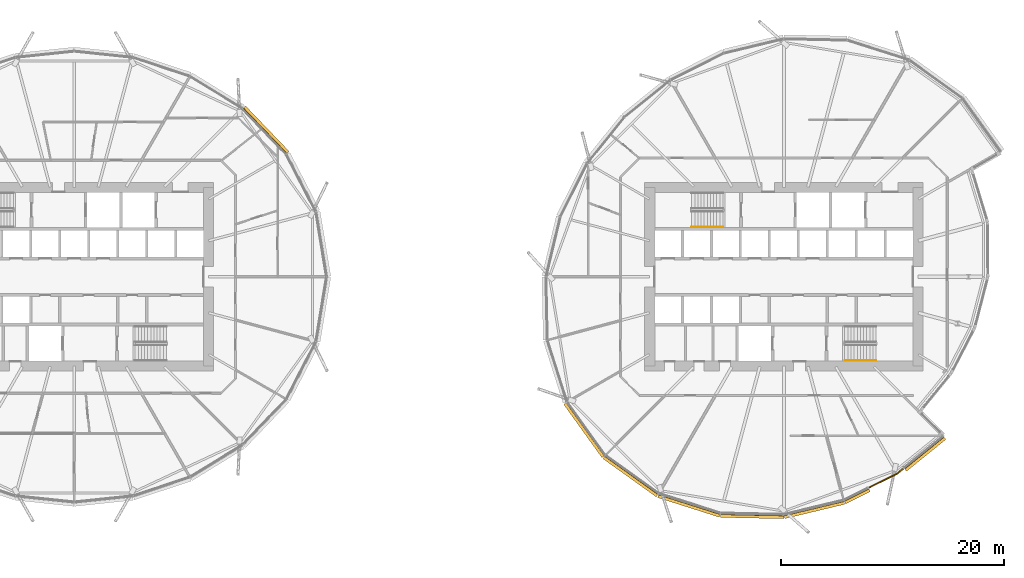
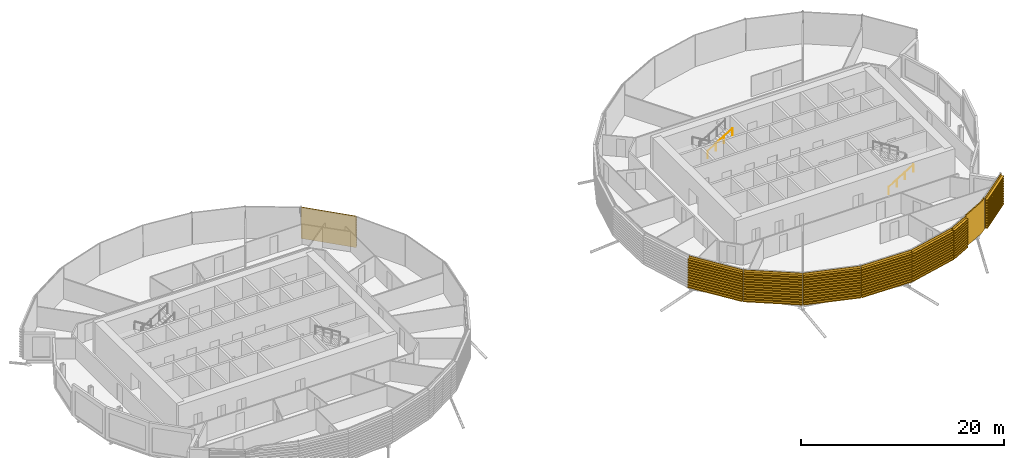
# One storey, part 36 of 38: 9 coverings, 2 railings.
"""IFC4 building model written with IfcOpenShell, lengths in metres."""

import ifcopenshell
import ifcopenshell.guid

model = None  # the IFC model being written
_history = None  # IfcOwnerHistory: only IFC2X3 demands one
_inside = {}  # id of a spatial element -> (the spatial element, [elements in it])
_under = {}  # id of a project, library or spatial element -> (it, [spatial elements below it])
_declared = {}  # id of a project -> (the project, [libraries it declares])
_typed = {}  # id of a type object -> (the type object, [elements of that type])
_made_of = {}  # id of a material, layer set ... -> (it, [elements and type objects made of it])


def new_model(schema):
    """Start an empty IFC model of exactly this schema.

    Asked for "IFC4X3", IfcOpenShell would pick the latest addendum, in which some entities
    have other attributes; the version numbers below select the first issue.
    IFC2X3 requires an IfcOwnerHistory on every rooted entity: one is made here for all.
    """
    global model, _history
    if schema == "IFC4X3":
        model = ifcopenshell.file(schema_version=(4, 3, 0, 0))
    else:
        model = ifcopenshell.file(schema=schema)
    _inside.clear()
    _under.clear()
    _declared.clear()
    _typed.clear()
    _made_of.clear()
    _history = None
    if model.schema == "IFC2X3":
        org = make("IfcOrganization", Name="unknown")
        user = make(
            "IfcPersonAndOrganization",
            ThePerson=make("IfcPerson", FamilyName="unknown"),
            TheOrganization=org,
        )
        app = make(
            "IfcApplication",
            ApplicationDeveloper=org,
            Version="unknown",
            ApplicationFullName="unknown",
            ApplicationIdentifier="unknown",
        )
        _history = make(
            "IfcOwnerHistory",
            OwningUser=user,
            OwningApplication=app,
            ChangeAction="ADDED",
            CreationDate=0,
        )
    return model


def make(cls, **values):
    """One entity of the class cls with the attributes given. An attribute that is None is left unset."""
    return model.create_entity(
        cls, **{name: value for name, value in values.items() if value is not None}
    )


def rooted(cls, **values):
    """An entity with a GlobalId (a new one), such as an element, a storey or a relation."""
    return make(cls, GlobalId=ifcopenshell.guid.new(), OwnerHistory=_history, **values)


def si_unit(unit_type, name, prefix=None):
    """IfcSIUnit, for example si_unit("LENGTHUNIT", "METRE", prefix="MILLI")."""
    return make("IfcSIUnit", UnitType=unit_type, Prefix=prefix, Name=name)


def assignment(units):
    """IfcUnitAssignment: the units of a project."""
    return None if units is None else make("IfcUnitAssignment", Units=units)


def point(xyz):
    """IfcCartesianPoint."""
    return None if xyz is None else make("IfcCartesianPoint", Coordinates=xyz)


def direction(xyz):
    """IfcDirection."""
    return None if xyz is None else make("IfcDirection", DirectionRatios=xyz)


def frame(location, z_axis=None, x_axis=None):
    """IfcAxis2Placement3D, a coordinate frame: its origin and axes. An axis left out is left unset."""
    return make(
        "IfcAxis2Placement3D",
        Location=point(location),
        Axis=direction(z_axis),
        RefDirection=direction(x_axis),
    )


def frame_2d(location, x_axis=None):
    """IfcAxis2Placement2D, a coordinate frame in the plane: its origin and x axis."""
    return make(
        "IfcAxis2Placement2D", Location=point(location), RefDirection=direction(x_axis)
    )


def origin():
    """The frame at (0, 0, 0) with its axes left unset."""
    return frame((0.0, 0.0, 0.0))


def origin_2d():
    """The frame at (0, 0) in the plane with its x axis left unset."""
    return frame_2d((0.0, 0.0))


def place(relative_to, where):
    """IfcLocalPlacement: puts the frame where relative to a parent placement (None: the world)."""
    return make(
        "IfcLocalPlacement", PlacementRelTo=relative_to, RelativePlacement=where
    )


def context(
    kind, dimensions, precision=None, world=None, true_north=None, identifier=None
):
    """IfcGeometricRepresentationContext, for example the 3D "Model" context."""
    return make(
        "IfcGeometricRepresentationContext",
        ContextIdentifier=identifier,
        ContextType=kind,
        CoordinateSpaceDimension=dimensions,
        Precision=precision,
        WorldCoordinateSystem=world,
        TrueNorth=true_north,
    )


def subcontext(parent, identifier, kind, view, scale=None):
    """IfcGeometricRepresentationSubContext, for example "Body" below "Model"."""
    return make(
        "IfcGeometricRepresentationSubContext",
        ContextIdentifier=identifier,
        ContextType=kind,
        ParentContext=parent,
        TargetScale=scale,
        TargetView=view,
    )


def project(units=None, contexts=None):
    """IfcProject with its units and contexts."""
    return rooted(
        "IfcProject",
        Name="project",
        RepresentationContexts=contexts,
        UnitsInContext=assignment(units),
    )


def spatial(cls, under=None, at=None, **own):
    """A site, building, storey or space (cls), placed at a placement, below another one or the project."""
    s = rooted(cls, ObjectPlacement=at, **own)
    if under is not None:
        _under.setdefault(under.id(), (under, []))[1].append(s)
    return s


def polyline(points):
    """IfcPolyline through the points."""
    return make("IfcPolyline", Points=[point(p) for p in points])


def profile(cls, at=None, kind="AREA", **sizes):
    """A parametric profile (cls). Its sizes go by their IFC names, for example OverallWidth=200.0."""
    return make(cls, ProfileType=kind, Position=at, **sizes)


def circle(**sizes):
    """IfcCircleProfileDef."""
    return profile("IfcCircleProfileDef", **sizes)


def outline(outer, holes=None, kind="AREA"):
    """IfcArbitraryClosedProfileDef: a profile drawn as a closed curve; with holes, ...WithVoids."""
    if holes is None:
        return make("IfcArbitraryClosedProfileDef", ProfileType=kind, OuterCurve=outer)
    return make(
        "IfcArbitraryProfileDefWithVoids",
        ProfileType=kind,
        OuterCurve=outer,
        InnerCurves=holes,
    )


def extrude(swept, where, along, depth):
    """IfcExtrudedAreaSolid: the profile swept, set in the frame where, extruded along a direction by depth."""
    return make(
        "IfcExtrudedAreaSolid",
        SweptArea=swept,
        Position=where,
        ExtrudedDirection=direction(along),
        Depth=depth,
    )


def shape(context_of_items, identifier, shape_type, items):
    """IfcShapeRepresentation: the items that make up one representation, for example the "Body"."""
    return make(
        "IfcShapeRepresentation",
        ContextOfItems=context_of_items,
        RepresentationIdentifier=identifier,
        RepresentationType=shape_type,
        Items=items,
    )


def material(Name=None, Category=None):
    """IfcMaterial."""
    return make("IfcMaterial", Name=Name, Category=Category)


def layer(
    of_material, thickness, ventilated=None, Name=None, Category=None, Priority=None
):
    """IfcMaterialLayer: one layer of a wall or slab, of a material (None: an air gap)."""
    return make(
        "IfcMaterialLayer",
        Material=of_material,
        LayerThickness=thickness,
        IsVentilated=ventilated,
        Name=Name,
        Category=Category,
        Priority=Priority,
    )


def layer_set(layers, Name=None):
    """IfcMaterialLayerSet."""
    return make("IfcMaterialLayerSet", MaterialLayers=layers, LayerSetName=Name)


def material_profile(
    of_material, cross_section, Name=None, Category=None, Priority=None
):
    """IfcMaterialProfile: a cross section and its material."""
    return make(
        "IfcMaterialProfile",
        Name=Name,
        Material=of_material,
        Profile=cross_section,
        Priority=Priority,
        Category=Category,
    )


def profile_set(profiles, Name=None, composite=None):
    """IfcMaterialProfileSet."""
    return make(
        "IfcMaterialProfileSet",
        Name=Name,
        MaterialProfiles=profiles,
        CompositeProfile=composite,
    )


def made_of(thing, what):
    """Note that an element or type object is made of a material, layer set ...; save() writes the relation."""
    if what is not None:
        _made_of.setdefault(what.id(), (what, []))[1].append(thing)
    return thing


def type_object(cls, material=None, **own):
    """A type object (cls), such as IfcWallType, which elements share."""
    return made_of(rooted(cls, **own), material)


def element(
    cls,
    number,
    at=None,
    inside=None,
    cuts=None,
    type_object=None,
    material=None,
    context=None,
    identifier="Body",
    shape_type=None,
    held_by="IfcProductDefinitionShape",
    body=None,
    shapes=None,
    **own,
):
    """One element of the class cls, such as IfcWall. Its Tag is "e" and its number.

    at: its placement. inside: the storey or other place that contains it. cuts: it is an
    opening in that element (IfcRelVoidsElement). A single representation is given by context,
    identifier, shape_type and body (its items); several are given by shapes. held_by: the class
    of the entity that holds the representations. save() writes the other relations.
    """
    e = rooted(cls, Tag="e%d" % number, ObjectPlacement=at, **own)
    if body is not None:
        shapes = [shape(context, identifier, shape_type, body)]
    if shapes is not None:
        e.Representation = make(held_by, Representations=shapes)
    if inside is not None:
        _inside.setdefault(inside.id(), (inside, []))[1].append(e)
    if cuts is not None:
        rooted(
            "IfcRelVoidsElement", RelatingBuildingElement=cuts, RelatedOpeningElement=e
        )
    if type_object is not None:
        _typed.setdefault(type_object.id(), (type_object, []))[1].append(e)
    return made_of(e, material)


def aggregate(whole, parts):
    """IfcRelAggregates: a whole, such as a stair, and the parts it consists of."""
    return rooted("IfcRelAggregates", RelatingObject=whole, RelatedObjects=parts)


def save(model, path):
    """Write the relations noted so far, then the file.

    IfcRelAggregates (storeys below a building ...), IfcRelContainedInSpatialStructure (elements
    in a storey), IfcRelDefinesByType, IfcRelAssociatesMaterial and IfcRelDeclares: one each for
    every whole, place, type object, material and project.
    """
    for whole, parts in _under.values():
        aggregate(whole, parts)
    for where, things in _inside.values():
        rooted(
            "IfcRelContainedInSpatialStructure",
            RelatedElements=things,
            RelatingStructure=where,
        )
    for kind, things in _typed.values():
        rooted("IfcRelDefinesByType", RelatedObjects=things, RelatingType=kind)
    for what, things in _made_of.values():
        rooted("IfcRelAssociatesMaterial", RelatedObjects=things, RelatingMaterial=what)
    for by, libraries in _declared.values():
        rooted("IfcRelDeclares", RelatingContext=by, RelatedDefinitions=libraries)
    model.write(path)


model = new_model("IFC4")

# Units and contexts
model_context = context("Model", 3, precision=1e-05, world=origin(), true_north=direction((0.0, 1.0)))
body_context = subcontext(model_context, "Body", "Model", "MODEL_VIEW")
ifc_project = project(units=[si_unit("LENGTHUNIT", "METRE"), si_unit("AREAUNIT", "SQUARE_METRE"), si_unit("VOLUMEUNIT", "CUBIC_METRE"), si_unit("PLANEANGLEUNIT", "RADIAN"), si_unit("MASSUNIT", "GRAM", prefix="KILO")], contexts=[model_context])

# Site, building, storey
site_placement = place(None, origin())
site = spatial("IfcSite", under=ifc_project, at=site_placement, CompositionType="ELEMENT")
building_placement = place(site_placement, origin())
building = spatial("IfcBuilding", under=site, at=building_placement, Name="Rimbun Link Towers", CompositionType="ELEMENT")
storey_placement = place(building_placement, frame((0.0, 0.0, 49.0)))
storey = spatial("IfcBuildingStorey", under=building, at=storey_placement, Name="L11", CompositionType="ELEMENT", Elevation=49.0)

# Covering
ifc_material_1 = material(Name="Terracotta", Category="masonry")
ifc_layer = layer(ifc_material_1, 0.1201171875)
ifc_layer_set = layer_set([ifc_layer], Name="LINK PIER terracotta cladding 120")
covering_type_1 = type_object("IfcCoveringType", Name="LINK PIER terracotta cladding 120", PredefinedType="CLADDING", material=ifc_layer_set)
covering_1_placement = place(storey_placement, origin())
element("IfcCovering", 1, at=covering_1_placement, inside=storey, type_object=covering_type_1, Name="LINK PIER cladding", PredefinedType="CLADDING", context=body_context, shape_type="SweptSolid", body=[
    extrude(outline(polyline([(42.442138671875, -17.096923828125), (41.88232421875, -17.5498046875), (39.317626953125, -18.837646484375), (39.37158203125, -18.945068359375), (41.94775390625, -17.651123046875), (42.517578125, -17.190185546875), (42.442138671875, -17.096923828125)])), origin(), (0.0, 0.0, 1.0), 3.800048828125),
])

# Railings
ifc_material_2 = material(Name="Stainless steel grade 316", Category="steel")
railing_type = type_object("IfcRailingType", Name="Stair handrail", PredefinedType="HANDRAIL", material=ifc_material_2)
for number, where, name in (
    (2, (23.5, 4.449951171875, 2.07275390625), "L11 ST3 stair handrail 2"),
    (3, (37.199951171875, -7.5, 0.172607421875), "L11 ST4 stair handrail 1"),
):
    element("IfcRailing", number, at=place(storey_placement, frame(where)), inside=storey, type_object=railing_type, Name=name, PredefinedType="HANDRAIL", context=body_context, shape_type="SweptSolid", body=[
        extrude(circle(Radius=0.02392578125, at=origin_2d()), frame((0.0, 0.0, 0.8759765625), z_axis=(0.851089632645, 0.0, 0.525020415988), x_axis=(0.0, 1.0, 0.0)), (0.0, 0.0, 1.0), 3.2900390625),
        extrude(circle(Radius=0.02099609375, at=origin_2d()), origin(), (0.0, 0.0, 1.0), 0.851806640625),
        extrude(circle(Radius=0.02099609375, at=origin_2d()), frame((0.933349609375, 0.0, 0.57568359375)), (0.0, 0.0, 1.0), 0.851806640625),
        extrude(circle(Radius=0.02099609375, at=origin_2d()), frame((1.86669921875, 0.0, 1.151611328125)), (0.0, 0.0, 1.0), 0.851806640625),
        extrude(circle(Radius=0.02099609375, at=origin_2d()), frame((2.800048828125, 0.0, 1.727294921875)), (0.0, 0.0, 1.0), 0.851806640625),
    ])

# Coverings
ifc_material_3 = material(Name="Terracotta", Category="masonry")
ifc_material_profile = material_profile(ifc_material_3, outline(polyline([(0.123046875, 0.0), (0.1630859375, 0.0), (0.1630859375, 0.10009765625), (0.423095703125, 0.10009765625), (0.423095703125, 0.219970703125), (0.1630859375, 0.219970703125), (0.1630859375, 0.39990234375), (0.423095703125, 0.39990234375), (0.423095703125, 0.52001953125), (0.1630859375, 0.52001953125), (0.1630859375, 0.699951171875), (0.423095703125, 0.699951171875), (0.423095703125, 0.820068359375), (0.1630859375, 0.820068359375), (0.1630859375, 1.0), (0.423095703125, 1.0), (0.423095703125, 1.1201171875), (0.1630859375, 1.1201171875), (0.1630859375, 1.300048828125), (0.423095703125, 1.300048828125), (0.423095703125, 1.419921875), (0.1630859375, 1.419921875), (0.1630859375, 1.60009765625), (0.423095703125, 1.60009765625), (0.423095703125, 1.719970703125), (0.1630859375, 1.719970703125), (0.1630859375, 1.89990234375), (0.423095703125, 1.89990234375), (0.423095703125, 2.02001953125), (0.1630859375, 2.02001953125), (0.1630859375, 2.199951171875), (0.423095703125, 2.199951171875), (0.423095703125, 2.320068359375), (0.1630859375, 2.320068359375), (0.1630859375, 2.5), (0.423095703125, 2.5), (0.423095703125, 2.6201171875), (0.1630859375, 2.6201171875), (0.1630859375, 2.800048828125), (0.423095703125, 2.800048828125), (0.423095703125, 2.919921875), (0.1630859375, 2.919921875), (0.1630859375, 3.10009765625), (0.423095703125, 3.10009765625), (0.423095703125, 3.219970703125), (0.1630859375, 3.219970703125), (0.1630859375, 3.39990234375), (0.423095703125, 3.39990234375), (0.423095703125, 3.52001953125), (0.1630859375, 3.52001953125), (0.1630859375, 3.800048828125), (0.123046875, 3.800048828125), (0.123046875, 0.0)])), Name="BAGUETTE 120X300")
ifc_profile_set = profile_set([ifc_material_profile], Name="Terracotta")
covering_type_2 = type_object("IfcCoveringType", Name="TERRACOTTA BAGUETTE 120X300 H3800", PredefinedType="CLADDING", material=ifc_profile_set)
covering_2_placement = place(storey_placement, frame((-16.73681640625, 15.01318359375, 0.0), z_axis=(0.692064655348, -0.721835516457, 0.0), x_axis=(0.721835516457, 0.692064655348, 0.0)))
element("IfcCovering", 4, at=covering_2_placement, inside=storey, type_object=covering_type_2, Name="TERRACOTTA BAGUETTE", PredefinedType="CLADDING", context=body_context, shape_type="SweptSolid", body=[
    extrude(outline(polyline([(0.123046875, 0.0), (0.1630859375, 0.0), (0.1630859375, 0.10009765625), (0.423095703125, 0.10009765625), (0.423095703125, 0.219970703125), (0.1630859375, 0.219970703125), (0.1630859375, 0.39990234375), (0.423095703125, 0.39990234375), (0.423095703125, 0.52001953125), (0.1630859375, 0.52001953125), (0.1630859375, 0.699951171875), (0.423095703125, 0.699951171875), (0.423095703125, 0.820068359375), (0.1630859375, 0.820068359375), (0.1630859375, 1.0), (0.423095703125, 1.0), (0.423095703125, 1.1201171875), (0.1630859375, 1.1201171875), (0.1630859375, 1.300048828125), (0.423095703125, 1.300048828125), (0.423095703125, 1.419921875), (0.1630859375, 1.419921875), (0.1630859375, 1.60009765625), (0.423095703125, 1.60009765625), (0.423095703125, 1.719970703125), (0.1630859375, 1.719970703125), (0.1630859375, 1.89990234375), (0.423095703125, 1.89990234375), (0.423095703125, 2.02001953125), (0.1630859375, 2.02001953125), (0.1630859375, 2.199951171875), (0.423095703125, 2.199951171875), (0.423095703125, 2.320068359375), (0.1630859375, 2.320068359375), (0.1630859375, 2.5), (0.423095703125, 2.5), (0.423095703125, 2.6201171875), (0.1630859375, 2.6201171875), (0.1630859375, 2.800048828125), (0.423095703125, 2.800048828125), (0.423095703125, 2.919921875), (0.1630859375, 2.919921875), (0.1630859375, 3.10009765625), (0.423095703125, 3.10009765625), (0.423095703125, 3.219970703125), (0.1630859375, 3.219970703125), (0.1630859375, 3.39990234375), (0.423095703125, 3.39990234375), (0.423095703125, 3.52001953125), (0.1630859375, 3.52001953125), (0.1630859375, 3.800048828125), (0.123046875, 3.800048828125), (0.123046875, 0.0)])), origin(), (0.0, 0.0, 1.0), 5.658447265625),
])
for number, where, z_axis, x_axis, name in (
    (5, (15.810546875, -15.939453125, 0.0), (-0.582989753513, 0.812479505771, 0.0), (-0.812479505771, -0.582989753513, 0.0), "TERRACOTTA BAGUETTE"),
    (6, (20.573974609375, -19.357421875, 0.0), (-0.812479505771, 0.582989753513, 0.0), (-0.582989753513, -0.812479505771, 0.0), "TERRACOTTA BAGUETTE"),
):
    element("IfcCovering", number, at=place(storey_placement, frame(where, z_axis=z_axis, x_axis=x_axis)), inside=storey, type_object=covering_type_2, Name=name, PredefinedType="CLADDING", context=body_context, shape_type="SweptSolid", body=[
        extrude(outline(polyline([(0.123046875, 0.0), (0.1630859375, 0.0), (0.1630859375, 0.10009765625), (0.423095703125, 0.10009765625), (0.423095703125, 0.219970703125), (0.1630859375, 0.219970703125), (0.1630859375, 0.39990234375), (0.423095703125, 0.39990234375), (0.423095703125, 0.52001953125), (0.1630859375, 0.52001953125), (0.1630859375, 0.699951171875), (0.423095703125, 0.699951171875), (0.423095703125, 0.820068359375), (0.1630859375, 0.820068359375), (0.1630859375, 1.0), (0.423095703125, 1.0), (0.423095703125, 1.1201171875), (0.1630859375, 1.1201171875), (0.1630859375, 1.300048828125), (0.423095703125, 1.300048828125), (0.423095703125, 1.419921875), (0.1630859375, 1.419921875), (0.1630859375, 1.60009765625), (0.423095703125, 1.60009765625), (0.423095703125, 1.719970703125), (0.1630859375, 1.719970703125), (0.1630859375, 1.89990234375), (0.423095703125, 1.89990234375), (0.423095703125, 2.02001953125), (0.1630859375, 2.02001953125), (0.1630859375, 2.199951171875), (0.423095703125, 2.199951171875), (0.423095703125, 2.320068359375), (0.1630859375, 2.320068359375), (0.1630859375, 2.5), (0.423095703125, 2.5), (0.423095703125, 2.6201171875), (0.1630859375, 2.6201171875), (0.1630859375, 2.800048828125), (0.423095703125, 2.800048828125), (0.423095703125, 2.919921875), (0.1630859375, 2.919921875), (0.1630859375, 3.10009765625), (0.423095703125, 3.10009765625), (0.423095703125, 3.219970703125), (0.1630859375, 3.219970703125), (0.1630859375, 3.39990234375), (0.423095703125, 3.39990234375), (0.423095703125, 3.52001953125), (0.1630859375, 3.52001953125), (0.1630859375, 3.800048828125), (0.123046875, 3.800048828125), (0.123046875, 0.0)])), origin(), (0.0, 0.0, 1.0), 5.86279296875),
    ])
covering_3_placement = place(storey_placement, frame((26.093017578125, -21.11279296875, 0.0), z_axis=(-0.952960099141, 0.303095776025, 0.0), x_axis=(-0.303095776025, -0.952960099141, 0.0)))
element("IfcCovering", 7, at=covering_3_placement, inside=storey, type_object=covering_type_2, Name="TERRACOTTA BAGUETTE", PredefinedType="CLADDING", context=body_context, shape_type="SweptSolid", body=[
    extrude(outline(polyline([(0.123046875, 0.0), (0.1630859375, 0.0), (0.1630859375, 0.10009765625), (0.423095703125, 0.10009765625), (0.423095703125, 0.219970703125), (0.1630859375, 0.219970703125), (0.1630859375, 0.39990234375), (0.423095703125, 0.39990234375), (0.423095703125, 0.52001953125), (0.1630859375, 0.52001953125), (0.1630859375, 0.699951171875), (0.423095703125, 0.699951171875), (0.423095703125, 0.820068359375), (0.1630859375, 0.820068359375), (0.1630859375, 1.0), (0.423095703125, 1.0), (0.423095703125, 1.1201171875), (0.1630859375, 1.1201171875), (0.1630859375, 1.300048828125), (0.423095703125, 1.300048828125), (0.423095703125, 1.419921875), (0.1630859375, 1.419921875), (0.1630859375, 1.60009765625), (0.423095703125, 1.60009765625), (0.423095703125, 1.719970703125), (0.1630859375, 1.719970703125), (0.1630859375, 1.89990234375), (0.423095703125, 1.89990234375), (0.423095703125, 2.02001953125), (0.1630859375, 2.02001953125), (0.1630859375, 2.199951171875), (0.423095703125, 2.199951171875), (0.423095703125, 2.320068359375), (0.1630859375, 2.320068359375), (0.1630859375, 2.5), (0.423095703125, 2.5), (0.423095703125, 2.6201171875), (0.1630859375, 2.6201171875), (0.1630859375, 2.800048828125), (0.423095703125, 2.800048828125), (0.423095703125, 2.919921875), (0.1630859375, 2.919921875), (0.1630859375, 3.10009765625), (0.423095703125, 3.10009765625), (0.423095703125, 3.219970703125), (0.1630859375, 3.219970703125), (0.1630859375, 3.39990234375), (0.423095703125, 3.39990234375), (0.423095703125, 3.52001953125), (0.1630859375, 3.52001953125), (0.1630859375, 3.800048828125), (0.123046875, 3.800048828125), (0.123046875, 0.0)])), origin(), (0.0, 0.0, 1.0), 5.79150390625),
])
covering_4_placement = place(storey_placement, frame((31.75, -21.23193359375, 0.0), z_axis=(-0.999778294919, 0.021056139481, 0.0), x_axis=(-0.021056139481, -0.999778294919, 0.0)))
element("IfcCovering", 8, at=covering_4_placement, inside=storey, type_object=covering_type_2, Name="TERRACOTTA BAGUETTE", PredefinedType="CLADDING", context=body_context, shape_type="SweptSolid", body=[
    extrude(outline(polyline([(0.123046875, 0.0), (0.1630859375, 0.0), (0.1630859375, 0.10009765625), (0.423095703125, 0.10009765625), (0.423095703125, 0.219970703125), (0.1630859375, 0.219970703125), (0.1630859375, 0.39990234375), (0.423095703125, 0.39990234375), (0.423095703125, 0.52001953125), (0.1630859375, 0.52001953125), (0.1630859375, 0.699951171875), (0.423095703125, 0.699951171875), (0.423095703125, 0.820068359375), (0.1630859375, 0.820068359375), (0.1630859375, 1.0), (0.423095703125, 1.0), (0.423095703125, 1.1201171875), (0.1630859375, 1.1201171875), (0.1630859375, 1.300048828125), (0.423095703125, 1.300048828125), (0.423095703125, 1.419921875), (0.1630859375, 1.419921875), (0.1630859375, 1.60009765625), (0.423095703125, 1.60009765625), (0.423095703125, 1.719970703125), (0.1630859375, 1.719970703125), (0.1630859375, 1.89990234375), (0.423095703125, 1.89990234375), (0.423095703125, 2.02001953125), (0.1630859375, 2.02001953125), (0.1630859375, 2.199951171875), (0.423095703125, 2.199951171875), (0.423095703125, 2.320068359375), (0.1630859375, 2.320068359375), (0.1630859375, 2.5), (0.423095703125, 2.5), (0.423095703125, 2.6201171875), (0.1630859375, 2.6201171875), (0.1630859375, 2.800048828125), (0.423095703125, 2.800048828125), (0.423095703125, 2.919921875), (0.1630859375, 2.919921875), (0.1630859375, 3.10009765625), (0.423095703125, 3.10009765625), (0.423095703125, 3.219970703125), (0.1630859375, 3.219970703125), (0.1630859375, 3.39990234375), (0.423095703125, 3.39990234375), (0.423095703125, 3.52001953125), (0.1630859375, 3.52001953125), (0.1630859375, 3.800048828125), (0.123046875, 3.800048828125), (0.123046875, 0.0)])), origin(), (0.0, 0.0, 1.0), 5.658203125),
])
covering_5_placement = place(storey_placement, frame((37.096435546875, -19.953125, 0.0), z_axis=(-0.972566005486, -0.232627094239, 0.0), x_axis=(0.232627094239, -0.972566005486, 0.0)))
element("IfcCovering", 9, at=covering_5_placement, inside=storey, type_object=covering_type_2, Name="TERRACOTTA BAGUETTE", PredefinedType="CLADDING", context=body_context, shape_type="SweptSolid", body=[
    extrude(outline(polyline([(0.123046875, 0.0), (0.1630859375, 0.0), (0.1630859375, 0.10009765625), (0.423095703125, 0.10009765625), (0.423095703125, 0.219970703125), (0.1630859375, 0.219970703125), (0.1630859375, 0.39990234375), (0.423095703125, 0.39990234375), (0.423095703125, 0.52001953125), (0.1630859375, 0.52001953125), (0.1630859375, 0.699951171875), (0.423095703125, 0.699951171875), (0.423095703125, 0.820068359375), (0.1630859375, 0.820068359375), (0.1630859375, 1.0), (0.423095703125, 1.0), (0.423095703125, 1.1201171875), (0.1630859375, 1.1201171875), (0.1630859375, 1.300048828125), (0.423095703125, 1.300048828125), (0.423095703125, 1.419921875), (0.1630859375, 1.419921875), (0.1630859375, 1.60009765625), (0.423095703125, 1.60009765625), (0.423095703125, 1.719970703125), (0.1630859375, 1.719970703125), (0.1630859375, 1.89990234375), (0.423095703125, 1.89990234375), (0.423095703125, 2.02001953125), (0.1630859375, 2.02001953125), (0.1630859375, 2.199951171875), (0.423095703125, 2.199951171875), (0.423095703125, 2.320068359375), (0.1630859375, 2.320068359375), (0.1630859375, 2.5), (0.423095703125, 2.5), (0.423095703125, 2.6201171875), (0.1630859375, 2.6201171875), (0.1630859375, 2.800048828125), (0.423095703125, 2.800048828125), (0.423095703125, 2.919921875), (0.1630859375, 2.919921875), (0.1630859375, 3.10009765625), (0.423095703125, 3.10009765625), (0.423095703125, 3.219970703125), (0.1630859375, 3.219970703125), (0.1630859375, 3.39990234375), (0.423095703125, 3.39990234375), (0.423095703125, 3.52001953125), (0.1630859375, 3.52001953125), (0.1630859375, 3.800048828125), (0.123046875, 3.800048828125), (0.123046875, 0.0)])), origin(), (0.0, 0.0, 1.0), 5.497314453125),
])
covering_6_placement = place(storey_placement, frame((39.290771484375, -18.851318359375, 0.0), z_axis=(-0.893670251718, -0.448724281932, 0.0), x_axis=(0.448724281932, -0.893670251718, 0.0)))
element("IfcCovering", 10, at=covering_6_placement, inside=storey, type_object=covering_type_2, Name="TERRACOTTA BAGUETTE", PredefinedType="CLADDING", context=body_context, shape_type="SweptSolid", body=[
    extrude(outline(polyline([(0.123046875, 0.0), (0.1630859375, 0.0), (0.1630859375, 0.10009765625), (0.423095703125, 0.10009765625), (0.423095703125, 0.219970703125), (0.1630859375, 0.219970703125), (0.1630859375, 0.39990234375), (0.423095703125, 0.39990234375), (0.423095703125, 0.52001953125), (0.1630859375, 0.52001953125), (0.1630859375, 0.699951171875), (0.423095703125, 0.699951171875), (0.423095703125, 0.820068359375), (0.1630859375, 0.820068359375), (0.1630859375, 1.0), (0.423095703125, 1.0), (0.423095703125, 1.1201171875), (0.1630859375, 1.1201171875), (0.1630859375, 1.300048828125), (0.423095703125, 1.300048828125), (0.423095703125, 1.419921875), (0.1630859375, 1.419921875), (0.1630859375, 1.60009765625), (0.423095703125, 1.60009765625), (0.423095703125, 1.719970703125), (0.1630859375, 1.719970703125), (0.1630859375, 1.89990234375), (0.423095703125, 1.89990234375), (0.423095703125, 2.02001953125), (0.1630859375, 2.02001953125), (0.1630859375, 2.199951171875), (0.423095703125, 2.199951171875), (0.423095703125, 2.320068359375), (0.1630859375, 2.320068359375), (0.1630859375, 2.5), (0.423095703125, 2.5), (0.423095703125, 2.6201171875), (0.1630859375, 2.6201171875), (0.1630859375, 2.800048828125), (0.423095703125, 2.800048828125), (0.423095703125, 2.919921875), (0.1630859375, 2.919921875), (0.1630859375, 3.10009765625), (0.423095703125, 3.10009765625), (0.423095703125, 3.219970703125), (0.1630859375, 3.219970703125), (0.1630859375, 3.39990234375), (0.423095703125, 3.39990234375), (0.423095703125, 3.52001953125), (0.1630859375, 3.52001953125), (0.1630859375, 3.800048828125), (0.123046875, 3.800048828125), (0.123046875, 0.0)])), origin(), (0.0, 0.0, 1.0), 2.455322265625),
])
covering_7_placement = place(storey_placement, frame((45.981689453125, -14.231689453125, 0.0), z_axis=(-0.77728634227, -0.629146995638, 0.0), x_axis=(0.629146995638, -0.77728634227, 0.0)))
element("IfcCovering", 11, at=covering_7_placement, inside=storey, type_object=covering_type_2, Name="TERRACOTTA BAGUETTE", PredefinedType="CLADDING", context=body_context, shape_type="SweptSolid", body=[
    extrude(outline(polyline([(0.123046875, 0.0), (0.1630859375, 0.0), (0.1630859375, 0.10009765625), (0.423095703125, 0.10009765625), (0.423095703125, 0.219970703125), (0.1630859375, 0.219970703125), (0.1630859375, 0.39990234375), (0.423095703125, 0.39990234375), (0.423095703125, 0.52001953125), (0.1630859375, 0.52001953125), (0.1630859375, 0.699951171875), (0.423095703125, 0.699951171875), (0.423095703125, 0.820068359375), (0.1630859375, 0.820068359375), (0.1630859375, 1.0), (0.423095703125, 1.0), (0.423095703125, 1.1201171875), (0.1630859375, 1.1201171875), (0.1630859375, 1.300048828125), (0.423095703125, 1.300048828125), (0.423095703125, 1.419921875), (0.1630859375, 1.419921875), (0.1630859375, 1.60009765625), (0.423095703125, 1.60009765625), (0.423095703125, 1.719970703125), (0.1630859375, 1.719970703125), (0.1630859375, 1.89990234375), (0.423095703125, 1.89990234375), (0.423095703125, 2.02001953125), (0.1630859375, 2.02001953125), (0.1630859375, 2.199951171875), (0.423095703125, 2.199951171875), (0.423095703125, 2.320068359375), (0.1630859375, 2.320068359375), (0.1630859375, 2.5), (0.423095703125, 2.5), (0.423095703125, 2.6201171875), (0.1630859375, 2.6201171875), (0.1630859375, 2.800048828125), (0.423095703125, 2.800048828125), (0.423095703125, 2.919921875), (0.1630859375, 2.919921875), (0.1630859375, 3.10009765625), (0.423095703125, 3.10009765625), (0.423095703125, 3.219970703125), (0.1630859375, 3.219970703125), (0.1630859375, 3.39990234375), (0.423095703125, 3.39990234375), (0.423095703125, 3.52001953125), (0.1630859375, 3.52001953125), (0.1630859375, 3.800048828125), (0.123046875, 3.800048828125), (0.123046875, 0.0)])), origin(), (0.0, 0.0, 1.0), 4.52392578125),
])

save(model, "model.ifc")
